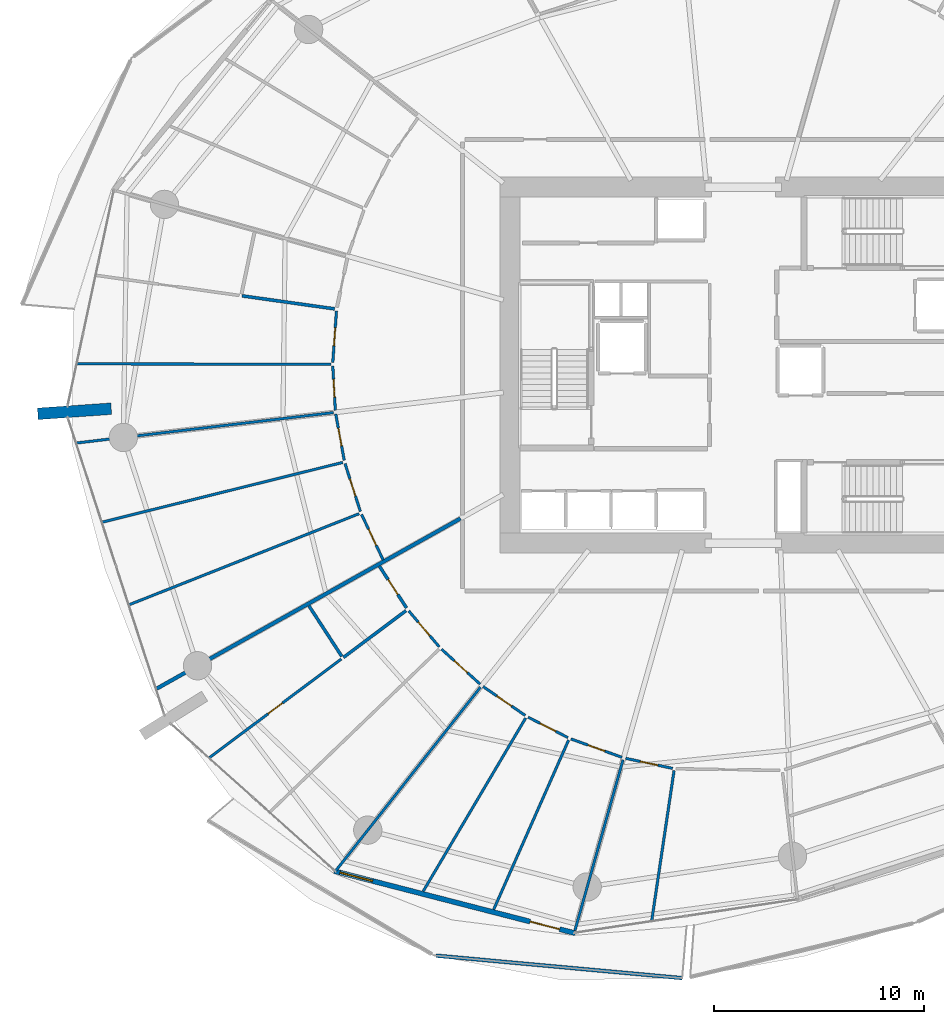
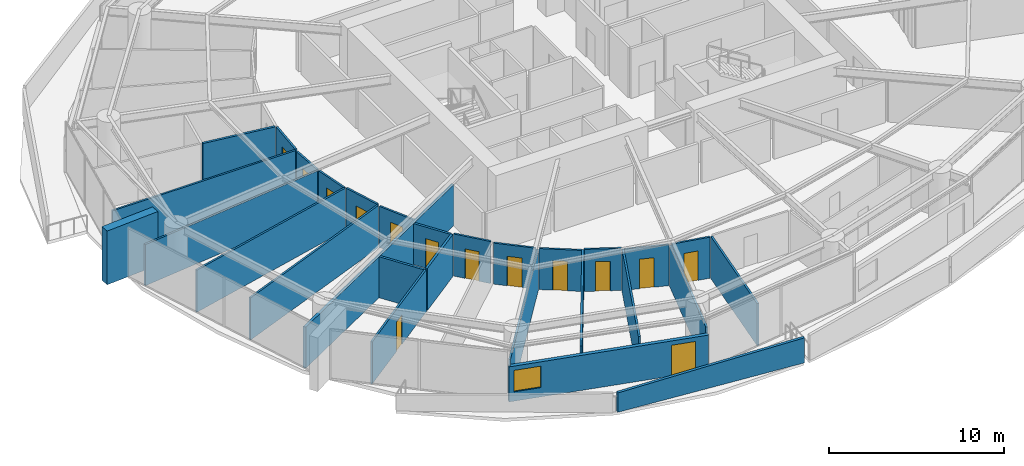
# One storey, part 19 of 31: 29 walls, 14 doors, 1 window, 15 openings.
"""IFC4 building model written with IfcOpenShell, lengths in metres."""

from ifc_helpers import new_model, si_unit, direction, frame, frame_2d, origin, place, context, subcontext, project, spatial, polyline, rectangle, outline, extrude, material, layer, layer_set, type_object, element, fill, save


model = new_model("IFC4")

# Units and contexts
model_context = context("Model", 3, precision=1e-05, world=origin(), true_north=direction((0.0, 1.0)))
body_context = subcontext(model_context, "Body", "Model", "MODEL_VIEW")
ifc_project = project(units=[si_unit("LENGTHUNIT", "METRE"), si_unit("AREAUNIT", "SQUARE_METRE"), si_unit("VOLUMEUNIT", "CUBIC_METRE"), si_unit("PLANEANGLEUNIT", "RADIAN"), si_unit("MASSUNIT", "GRAM", prefix="KILO")], contexts=[model_context])

# Site, building, storey
site_placement = place(None, origin())
site = spatial("IfcSite", under=ifc_project, at=site_placement, CompositionType="ELEMENT")
building_placement = place(site_placement, origin())
building = spatial("IfcBuilding", under=site, at=building_placement, Name="Kazma Halo Residences", CompositionType="ELEMENT")
storey_placement = place(building_placement, frame((0.0, 0.0, 45.14990234375)))
storey = spatial("IfcBuildingStorey", under=building, at=storey_placement, Name="L10", CompositionType="ELEMENT", Elevation=45.14990234375)

# Walls
ifc_material_1 = material(Name="White Concrete C50/60 Balustrade", Category="concrete")
ifc_layer_1 = layer(ifc_material_1, 0.179931640625)
ifc_layer_set_1 = layer_set([ifc_layer_1], Name="White Concrete C50/60 Balustrade")
wall_type_1 = type_object("IfcWallType", Name="WL-BAL-WAVE-180", PredefinedType="PARAPET", material=ifc_layer_set_1)
wall_1_placement = place(storey_placement, frame((33.795654296875, 13.876953125, 0.0), z_axis=(0.0, 0.0, 1.0), x_axis=(0.99586852892, -0.09080678998, 0.0)))
element("IfcWall", 1, at=wall_1_placement, inside=storey, type_object=wall_type_1, Name="L10 white wave balustrade wall SW.2", PredefinedType="PARAPET", context=body_context, shape_type="SweptSolid", body=[
    extrude(outline(polyline([(0.0, 0.0), (11.77587890625, 0.0), (11.77587890625, 1.7470703125), (5.887939453125, 1.56201171875), (0.0, 1.34814453125), (0.0, 0.0)])), frame((0.0, 0.08984375, 0.0), z_axis=(0.0, -1.0, 0.0), x_axis=(1.0, 0.0, 0.0)), (0.0, 0.0, 1.0), 0.179931640625),
])
ifc_material_2 = material(Name="Pale Concrete C60/75", Category="concrete")
ifc_layer_2 = layer(ifc_material_2, 0.550048828125)
ifc_layer_set_2 = layer_set([ifc_layer_2], Name="Pale Concrete C60/75")
wall_type_2 = type_object("IfcWallType", Name="WL-BLADE-550", PredefinedType="SOLIDWALL", material=ifc_layer_set_2)
wall_2_placement = place(storey_placement, frame((18.322021484375, 39.9248046875, 0.0), z_axis=(0.0, 0.0, 1.0), x_axis=(-0.997564163539, -0.069754853754, 0.0)))
element("IfcWall", 2, at=wall_2_placement, inside=storey, type_object=wall_type_2, Name="L10 pale concrete structural blade fin wall BW-02", PredefinedType="SOLIDWALL", context=body_context, shape_type="SweptSolid", body=[
    extrude(rectangle(XDim=3.5, YDim=0.550048828125, at=frame_2d((1.75, 0.0))), origin(), (0.0, 0.0, 1.0), 3.75),
])
ifc_material_3 = material(Name="Acoustic Twin-Stud Gypsum")
ifc_layer_3 = layer(ifc_material_3, 0.179931640625)
ifc_layer_set_3 = layer_set([ifc_layer_3], Name="Acoustic Twin-Stud Gypsum")
wall_type_3 = type_object("IfcWallType", Name="WL-DEM-180", PredefinedType="PARTITIONING", material=ifc_layer_set_3)
wall_3_placement = place(storey_placement, frame((34.9541015625, 34.694091796875, 0.0), z_axis=(0.0, 0.0, 1.0), x_axis=(-0.872493465611, -0.488625779577, 0.0)))
element("IfcWall", 3, at=wall_3_placement, inside=storey, type_object=wall_type_3, Name="L10 apartment demising radial wall 08", PredefinedType="PARTITIONING", context=body_context, shape_type="SweptSolid", body=[
    extrude(rectangle(XDim=16.586181640625, YDim=0.179931640625, at=frame_2d((8.29296875, 0.0))), origin(), (0.0, 0.0, 1.0), 2.8671875),
])

# Wall, openings, door, window
ifc_material_4 = material(Name="Insulated Pale-Metal Composite Wall")
ifc_layer_4 = layer(ifc_material_4, 0.239990234375)
ifc_layer_set_4 = layer_set([ifc_layer_4], Name="Insulated Pale-Metal Composite Wall")
wall_type_4 = type_object("IfcWallType", Name="WL-EXT-HOST-240", PredefinedType="SOLIDWALL", material=ifc_layer_set_4)
wall_4_placement = place(storey_placement, frame((28.94580078125, 17.90380859375, 0.0), z_axis=(0.0, 0.0, 1.0), x_axis=(0.96833871487, -0.249640007378, 0.0)))
wall_4 = element("IfcWall", 4, at=wall_4_placement, inside=storey, type_object=wall_type_4, Name="L10 exterior terrace-access wall B10", PredefinedType="SOLIDWALL", context=body_context, shape_type="SweptSolid", body=[
    extrude(rectangle(XDim=11.85107421875, YDim=0.239990234375, at=frame_2d((5.925537109375, 0.0))), origin(), (0.0, 0.0, 1.0), 2.4501953125),
])
opening_1_placement = place(wall_4_placement, frame((9.631103515625, 0.0, 0.0)))
opening_1 = element("IfcOpeningElement", 5, at=opening_1_placement, cuts=wall_4, Name="Opening DTR-1600", PredefinedType="OPENING", context=body_context, shape_type="SweptSolid", body=[
    extrude(rectangle(XDim=1.449951171875, YDim=2.14990234375, at=frame_2d((0.72509765625, 1.074951171875))), frame((0.0, 0.1298828125, 0.0), z_axis=(0.0, -1.0, 0.0), x_axis=(1.0, 0.0, 0.0)), (0.0, 0.0, 1.0), 0.260009765625),
])
opening_2_placement = place(wall_4_placement, frame((0.280029296875, 0.0, 0.64990234375)))
opening_2 = element("IfcOpeningElement", 6, at=opening_2_placement, cuts=wall_4, Name="Opening W-1800", PredefinedType="OPENING", context=body_context, shape_type="SweptSolid", body=[
    extrude(rectangle(XDim=1.60009765625, YDim=1.5, at=frame_2d((0.800048828125, 0.75))), frame((0.0, 0.1298828125, 0.0), z_axis=(0.0, -1.0, 0.0), x_axis=(1.0, 0.0, 0.0)), (0.0, 0.0, 1.0), 0.260009765625),
])
ifc_material_5 = material(Name="Aluminium AW-6063 T6 Double-Glazed Terrace Door", Category="aluminium")
door_type_1 = type_object("IfcDoorType", Name="DR-EXT-TERR-1600", OperationType="NOTDEFINED", PredefinedType="DOOR", material=ifc_material_5)
door_1_placement = place(opening_1_placement, origin())
door_1 = element("IfcDoor", 7, at=door_1_placement, inside=storey, type_object=door_type_1, Name="L10 B10 balcony terrace door", OperationType="DOUBLE_DOOR_SLIDING", OverallHeight=2.14990234375, OverallWidth=1.449951171875, PredefinedType="DOOR", context=body_context, shape_type="SweptSolid", body=[
    extrude(rectangle(XDim=1.449951171875, YDim=2.14990234375, at=frame_2d((0.72509765625, 1.074951171875))), frame((0.0, 0.02490234375, 0.0), z_axis=(0.0, -1.0, 0.0), x_axis=(1.0, 0.0, 0.0)), (0.0, 0.0, 1.0), 0.050048828125),
])
fill(opening_1, door_1)
ifc_material_6 = material(Name="Clear Triple-Silver Low-E Glass in Aluminium AW-6063 T6 Frame", Category="aluminium")
window_type = type_object("IfcWindowType", Name="WIN-RES-1800", PartitioningType="DOUBLE_PANEL_VERTICAL", PredefinedType="WINDOW", material=ifc_material_6)
window_placement = place(opening_2_placement, origin())
window = element("IfcWindow", 8, at=window_placement, inside=storey, type_object=window_type, Name="L10 B10 apartment window", OverallHeight=1.5, OverallWidth=1.60009765625, PartitioningType="SINGLE_PANEL", PredefinedType="WINDOW", context=body_context, shape_type="SweptSolid", body=[
    extrude(rectangle(XDim=1.60009765625, YDim=1.5, at=frame_2d((0.800048828125, 0.75))), frame((0.0, 0.030029296875, 0.0), z_axis=(0.0, -1.0, 0.0), x_axis=(1.0, 0.0, 0.0)), (0.0, 0.0, 1.0), 0.06005859375),
])
fill(opening_2, window)

# Wall
ifc_material_7 = material(Name="Gypsum Plasterboard Partition")
ifc_layer_5 = layer(ifc_material_7, 0.125)
ifc_layer_set_5 = layer_set([ifc_layer_5], Name="Gypsum Plasterboard Partition")
wall_type_5 = type_object("IfcWallType", Name="WL-PART-125", PredefinedType="PARTITIONING", material=ifc_layer_set_5)
wall_5_placement = place(storey_placement, frame((28.780029296875, 42.0380859375, 0.0), z_axis=(0.0, 0.0, 1.0), x_axis=(-0.999998036955, 0.001981435282, 0.0)))
element("IfcWall", 9, at=wall_5_placement, inside=storey, type_object=wall_type_5, Name="L10 Apartment 1 suite divider 6", PredefinedType="PARTITIONING", context=body_context, shape_type="SweptSolid", body=[
    extrude(rectangle(XDim=12.074951171875, YDim=0.125, at=frame_2d((6.03759765625, 0.0))), origin(), (0.0, 0.0, 1.0), 2.940185546875),
])

# Wall, opening, door
wall_6_placement = place(storey_placement, frame((29.05029296875, 44.575927734375, 0.0), z_axis=(0.0, 0.0, 1.0), x_axis=(-0.070831673661, -0.997488282641, 0.0)))
wall_6 = element("IfcWall", 10, at=wall_6_placement, inside=storey, type_object=wall_type_5, Name="L10 Apartment 1 Gulf Formal Dining Room hall wall", PredefinedType="PARTITIONING", context=body_context, shape_type="SweptSolid", body=[
    extrude(rectangle(XDim=2.46435546875, YDim=0.125, at=frame_2d((1.232177734375, 0.0))), origin(), (0.0, 0.0, 1.0), 2.940185546875),
])
opening_3_placement = place(wall_6_placement, frame((0.80712890625, 0.0, 0.0)))
opening_3 = element("IfcOpeningElement", 11, at=opening_3_placement, cuts=wall_6, Name="Opening DB-900", PredefinedType="OPENING", context=body_context, shape_type="SweptSolid", body=[
    extrude(rectangle(XDim=0.85009765625, YDim=2.06005859375, at=frame_2d((0.425048828125, 1.030029296875))), frame((0.0, 0.072509765625, 0.0), z_axis=(0.0, -1.0, 0.0), x_axis=(1.0, 0.0, 0.0)), (0.0, 0.0, 1.0), 0.14501953125),
])
ifc_material_8 = material(Name="Moisture-Sealed Timber Leaf", Category="wood")
door_type_2 = type_object("IfcDoorType", Name="DR-BTH-900", OperationType="NOTDEFINED", PredefinedType="DOOR", material=ifc_material_8)
door_2_placement = place(opening_3_placement, origin())
door_2 = element("IfcDoor", 12, at=door_2_placement, inside=storey, type_object=door_type_2, Name="L10 Apartment 1 Gulf Formal Dining Room door", OperationType="SINGLE_SWING_LEFT", OverallHeight=2.06005859375, OverallWidth=0.85009765625, PredefinedType="DOOR", context=body_context, shape_type="SweptSolid", body=[
    extrude(rectangle(XDim=0.85009765625, YDim=2.06005859375, at=frame_2d((0.425048828125, 1.030029296875))), frame((0.0, 0.02490234375, 0.0), z_axis=(0.0, -1.0, 0.0), x_axis=(1.0, 0.0, 0.0)), (0.0, 0.0, 1.0), 0.050048828125),
])
fill(opening_3, door_2)

wall_7_placement = place(storey_placement, frame((28.87451171875, 41.9580078125, 0.0), z_axis=(0.0, 0.0, 1.0), x_axis=(0.057962417622, -0.998318765797, 0.0)))
wall_7 = element("IfcWall", 13, at=wall_7_placement, inside=storey, type_object=wall_type_5, Name="L10 Apartment 1 Primary Master Bedroom hall wall", PredefinedType="PARTITIONING", context=body_context, shape_type="SweptSolid", body=[
    extrude(rectangle(XDim=2.1103515625, YDim=0.125, at=frame_2d((1.05517578125, 0.0))), origin(), (0.0, 0.0, 1.0), 2.8671875),
])
opening_4_placement = place(wall_7_placement, frame((0.630126953125, 0.0, 0.0)))
opening_4 = element("IfcOpeningElement", 14, at=opening_4_placement, cuts=wall_7, Name="Opening DB-900", PredefinedType="OPENING", context=body_context, shape_type="SweptSolid", body=[
    extrude(rectangle(XDim=0.85009765625, YDim=2.06005859375, at=frame_2d((0.425048828125, 1.030029296875))), frame((0.0, 0.072509765625, 0.0), z_axis=(0.0, -1.0, 0.0), x_axis=(1.0, 0.0, 0.0)), (0.0, 0.0, 1.0), 0.14501953125),
])
door_3_placement = place(opening_4_placement, origin())
door_3 = element("IfcDoor", 15, at=door_3_placement, inside=storey, type_object=door_type_2, Name="L10 Apartment 1 Primary Master Bedroom door", OperationType="SINGLE_SWING_RIGHT", OverallHeight=2.06005859375, OverallWidth=0.85009765625, PredefinedType="DOOR", context=body_context, shape_type="SweptSolid", body=[
    extrude(rectangle(XDim=0.85009765625, YDim=2.06005859375, at=frame_2d((0.425048828125, 1.030029296875))), frame((0.0, 0.02490234375, 0.0), z_axis=(0.0, -1.0, 0.0), x_axis=(1.0, 0.0, 0.0)), (0.0, 0.0, 1.0), 0.050048828125),
])
fill(opening_4, door_3)

# Walls
wall_8_placement = place(storey_placement, frame((28.9033203125, 39.73974609375, 0.0), z_axis=(0.0, 0.0, 1.0), x_axis=(-0.993068040113, -0.117540919282, 0.0)))
element("IfcWall", 16, at=wall_8_placement, inside=storey, type_object=wall_type_5, Name="L10 Apartment 1 radial partition 7", PredefinedType="PARTITIONING", context=body_context, shape_type="SweptSolid", body=[
    extrude(rectangle(XDim=12.30859375, YDim=0.125, at=frame_2d((6.154296875, 0.0))), origin(), (0.0, 0.0, 1.0), 2.8671875),
])
wall_9_placement = place(storey_placement, frame((29.346923828125, 37.366455078125, 0.0), z_axis=(0.0, 0.0, 1.0), x_axis=(-0.970510462135, -0.241059002917, 0.0)))
element("IfcWall", 17, at=wall_9_placement, inside=storey, type_object=wall_type_5, Name="L10 Apartment 1 bay wall 1 7", PredefinedType="PARTITIONING", context=body_context, shape_type="SweptSolid", body=[
    extrude(rectangle(XDim=11.789794921875, YDim=0.125, at=frame_2d((5.89501953125, 0.0))), origin(), (0.0, 0.0, 1.0), 2.940185546875),
])
wall_10_placement = place(storey_placement, frame((30.129638671875, 34.9248046875, 0.0), z_axis=(0.0, 0.0, 1.0), x_axis=(-0.929770978957, -0.368138461302, 0.0)))
element("IfcWall", 18, at=wall_10_placement, inside=storey, type_object=wall_type_5, Name="L10 Apartment 1 bay wall 2 7", PredefinedType="PARTITIONING", context=body_context, shape_type="SweptSolid", body=[
    extrude(rectangle(XDim=11.7734375, YDim=0.125, at=frame_2d((5.88671875, 0.0))), origin(), (0.0, 0.0, 1.0), 2.940185546875),
])

# Wall, opening, door
wall_11_placement = place(storey_placement, frame((29.01708984375, 39.6728515625, 0.0), z_axis=(0.0, 0.0, 1.0), x_axis=(0.179632658462, -0.983733758704, 0.0)))
wall_11 = element("IfcWall", 19, at=wall_11_placement, inside=storey, type_object=wall_type_5, Name="L10 Apartment 1 West Master Bedroom hall wall", PredefinedType="PARTITIONING", context=body_context, shape_type="SweptSolid", body=[
    extrude(rectangle(XDim=2.242431640625, YDim=0.125, at=frame_2d((1.12109375, 0.0))), origin(), (0.0, 0.0, 1.0), 2.8671875),
])
opening_5_placement = place(wall_11_placement, frame((0.6962890625, 0.0, 0.0)))
opening_5 = element("IfcOpeningElement", 20, at=opening_5_placement, cuts=wall_11, Name="Opening DB-900", PredefinedType="OPENING", context=body_context, shape_type="SweptSolid", body=[
    extrude(rectangle(XDim=0.85009765625, YDim=2.06005859375, at=frame_2d((0.425048828125, 1.030029296875))), frame((0.0, 0.072509765625, 0.0), z_axis=(0.0, -1.0, 0.0), x_axis=(1.0, 0.0, 0.0)), (0.0, 0.0, 1.0), 0.14501953125),
])
door_4_placement = place(opening_5_placement, origin())
door_4 = element("IfcDoor", 21, at=door_4_placement, inside=storey, type_object=door_type_2, Name="L10 Apartment 1 West Master Bedroom door", OperationType="SINGLE_SWING_LEFT", OverallHeight=2.06005859375, OverallWidth=0.85009765625, PredefinedType="DOOR", context=body_context, shape_type="SweptSolid", body=[
    extrude(rectangle(XDim=0.85009765625, YDim=2.06005859375, at=frame_2d((0.425048828125, 1.030029296875))), frame((0.0, 0.02490234375, 0.0), z_axis=(0.0, -1.0, 0.0), x_axis=(1.0, 0.0, 0.0)), (0.0, 0.0, 1.0), 0.050048828125),
])
fill(opening_5, door_4)

wall_12_placement = place(storey_placement, frame((29.45849609375, 37.31201171875, 0.0), z_axis=(0.0, 0.0, 1.0), x_axis=(0.305338513131, -0.952243872335, 0.0)))
wall_12 = element("IfcWall", 22, at=wall_12_placement, inside=storey, type_object=wall_type_5, Name="L10 Apartment 1 North Dressing Wardrobe hall wall", PredefinedType="PARTITIONING", context=body_context, shape_type="SweptSolid", body=[
    extrude(rectangle(XDim=2.392333984375, YDim=0.125, at=frame_2d((1.1962890625, 0.0))), origin(), (0.0, 0.0, 1.0), 2.940185546875),
])
opening_6_placement = place(wall_12_placement, frame((0.77099609375, 0.0, 0.0)))
opening_6 = element("IfcOpeningElement", 23, at=opening_6_placement, cuts=wall_12, Name="Opening DB-900", PredefinedType="OPENING", context=body_context, shape_type="SweptSolid", body=[
    extrude(rectangle(XDim=0.85009765625, YDim=2.06005859375, at=frame_2d((0.425048828125, 1.030029296875))), frame((0.0, 0.072509765625, 0.0), z_axis=(0.0, -1.0, 0.0), x_axis=(1.0, 0.0, 0.0)), (0.0, 0.0, 1.0), 0.14501953125),
])
door_5_placement = place(opening_6_placement, origin())
door_5 = element("IfcDoor", 24, at=door_5_placement, inside=storey, type_object=door_type_2, Name="L10 Apartment 1 North Dressing Wardrobe door", OperationType="SINGLE_SWING_RIGHT", OverallHeight=2.06005859375, OverallWidth=0.85009765625, PredefinedType="DOOR", context=body_context, shape_type="SweptSolid", body=[
    extrude(rectangle(XDim=0.85009765625, YDim=2.06005859375, at=frame_2d((0.425048828125, 1.030029296875))), frame((0.0, 0.02490234375, 0.0), z_axis=(0.0, -1.0, 0.0), x_axis=(1.0, 0.0, 0.0)), (0.0, 0.0, 1.0), 0.050048828125),
])
fill(opening_6, door_5)

wall_13_placement = place(storey_placement, frame((30.247802734375, 34.885498046875, 0.0), z_axis=(0.0, 0.0, 1.0), x_axis=(0.429366977128, -0.903130111862, 0.0)))
wall_13 = element("IfcWall", 25, at=wall_13_placement, inside=storey, type_object=wall_type_5, Name="L10 Apartment 1 South Master Bedroom hall wall", PredefinedType="PARTITIONING", context=body_context, shape_type="SweptSolid", body=[
    extrude(rectangle(XDim=2.39208984375, YDim=0.125, at=frame_2d((1.196044921875, 0.0))), origin(), (0.0, 0.0, 1.0), 2.8671875),
])
opening_7_placement = place(wall_13_placement, frame((0.77099609375, 0.0, 0.0)))
opening_7 = element("IfcOpeningElement", 26, at=opening_7_placement, cuts=wall_13, Name="Opening DB-900", PredefinedType="OPENING", context=body_context, shape_type="SweptSolid", body=[
    extrude(rectangle(XDim=0.85009765625, YDim=2.06005859375, at=frame_2d((0.425048828125, 1.030029296875))), frame((0.0, 0.072509765625, 0.0), z_axis=(0.0, -1.0, 0.0), x_axis=(1.0, 0.0, 0.0)), (0.0, 0.0, 1.0), 0.14501953125),
])
door_6_placement = place(opening_7_placement, origin())
door_6 = element("IfcDoor", 27, at=door_6_placement, inside=storey, type_object=door_type_2, Name="L10 Apartment 1 South Master Bedroom door", OperationType="SINGLE_SWING_LEFT", OverallHeight=2.06005859375, OverallWidth=0.85009765625, PredefinedType="DOOR", context=body_context, shape_type="SweptSolid", body=[
    extrude(rectangle(XDim=0.85009765625, YDim=2.06005859375, at=frame_2d((0.425048828125, 1.030029296875))), frame((0.0, 0.02490234375, 0.0), z_axis=(0.0, -1.0, 0.0), x_axis=(1.0, 0.0, 0.0)), (0.0, 0.0, 1.0), 0.050048828125),
])
fill(opening_7, door_6)

wall_14_placement = place(storey_placement, frame((29.280517578125, 28.00244140625, 0.0), z_axis=(0.0, 0.0, 1.0), x_axis=(-0.800858109459, -0.598854146278, 0.0)))
wall_14 = element("IfcWall", 28, at=wall_14_placement, inside=storey, type_object=wall_type_5, Name="L10 Apartment 2 Utility Laundry Room partition wall", PredefinedType="PARTITIONING", context=body_context, shape_type="SweptSolid", body=[
    extrude(rectangle(XDim=7.844970703125, YDim=0.125, at=frame_2d((3.92236328125, 0.0))), origin(), (0.0, 0.0, 1.0), 2.940185546875),
])
opening_8_placement = place(wall_14_placement, frame((3.49755859375, 0.0, 0.0)))
opening_8 = element("IfcOpeningElement", 29, at=opening_8_placement, cuts=wall_14, Name="Opening DB-900", PredefinedType="OPENING", context=body_context, shape_type="SweptSolid", body=[
    extrude(rectangle(XDim=0.85009765625, YDim=2.06005859375, at=frame_2d((0.425048828125, 1.030029296875))), frame((0.0, 0.072509765625, 0.0), z_axis=(0.0, -1.0, 0.0), x_axis=(1.0, 0.0, 0.0)), (0.0, 0.0, 1.0), 0.14501953125),
])
door_7_placement = place(opening_8_placement, origin())
door_7 = element("IfcDoor", 30, at=door_7_placement, inside=storey, type_object=door_type_2, Name="L10 Apartment 2 Utility Laundry Room door", OperationType="SINGLE_SWING_RIGHT", OverallHeight=2.06005859375, OverallWidth=0.85009765625, PredefinedType="DOOR", context=body_context, shape_type="SweptSolid", body=[
    extrude(rectangle(XDim=0.85009765625, YDim=2.06005859375, at=frame_2d((0.425048828125, 1.030029296875))), frame((0.0, 0.02490234375, 0.0), z_axis=(0.0, -1.0, 0.0), x_axis=(1.0, 0.0, 0.0)), (0.0, 0.0, 1.0), 0.050048828125),
])
fill(opening_8, door_7)

wall_15_placement = place(storey_placement, frame((32.494384765625, 30.29345703125, 0.0), z_axis=(0.0, 0.0, 1.0), x_axis=(0.64730971506, -0.762227087415, 0.0)))
wall_15 = element("IfcWall", 31, at=wall_15_placement, inside=storey, type_object=wall_type_5, Name="L10 Apartment 2 Gourmet Kitchen hall wall", PredefinedType="PARTITIONING", context=body_context, shape_type="SweptSolid", body=[
    extrude(rectangle(XDim=2.2392578125, YDim=0.125, at=frame_2d((1.11962890625, 0.0))), origin(), (0.0, 0.0, 1.0), 2.940185546875),
])
opening_9_placement = place(wall_15_placement, frame((0.694580078125, 0.0, 0.0)))
opening_9 = element("IfcOpeningElement", 32, at=opening_9_placement, cuts=wall_15, Name="Opening DB-900", PredefinedType="OPENING", context=body_context, shape_type="SweptSolid", body=[
    extrude(rectangle(XDim=0.85009765625, YDim=2.06005859375, at=frame_2d((0.425048828125, 1.030029296875))), frame((0.0, 0.072509765625, 0.0), z_axis=(0.0, -1.0, 0.0), x_axis=(1.0, 0.0, 0.0)), (0.0, 0.0, 1.0), 0.14501953125),
])
door_8_placement = place(opening_9_placement, origin())
door_8 = element("IfcDoor", 33, at=door_8_placement, inside=storey, type_object=door_type_2, Name="L10 Apartment 2 Gourmet Kitchen door", OperationType="SINGLE_SWING_LEFT", OverallHeight=2.06005859375, OverallWidth=0.85009765625, PredefinedType="DOOR", context=body_context, shape_type="SweptSolid", body=[
    extrude(rectangle(XDim=0.85009765625, YDim=2.06005859375, at=frame_2d((0.425048828125, 1.030029296875))), frame((0.0, 0.02490234375, 0.0), z_axis=(0.0, -1.0, 0.0), x_axis=(1.0, 0.0, 0.0)), (0.0, 0.0, 1.0), 0.050048828125),
])
fill(opening_9, door_8)

wall_16_placement = place(storey_placement, frame((34.054931640625, 28.471923828125, 0.0), z_axis=(0.0, 0.0, 1.0), x_axis=(0.741069539407, -0.671428281921, 0.0)))
wall_16 = element("IfcWall", 34, at=wall_16_placement, inside=storey, type_object=wall_type_5, Name="L10 Apartment 2 Master Bedroom hall wall", PredefinedType="PARTITIONING", context=body_context, shape_type="SweptSolid", body=[
    extrude(rectangle(XDim=2.48193359375, YDim=0.125, at=frame_2d((1.240966796875, 0.0))), origin(), (0.0, 0.0, 1.0), 2.8671875),
])
opening_10_placement = place(wall_16_placement, frame((0.816162109375, 0.0, 0.0)))
opening_10 = element("IfcOpeningElement", 35, at=opening_10_placement, cuts=wall_16, Name="Opening DB-900", PredefinedType="OPENING", context=body_context, shape_type="SweptSolid", body=[
    extrude(rectangle(XDim=0.85009765625, YDim=2.06005859375, at=frame_2d((0.425048828125, 1.030029296875))), frame((0.0, 0.072509765625, 0.0), z_axis=(0.0, -1.0, 0.0), x_axis=(1.0, 0.0, 0.0)), (0.0, 0.0, 1.0), 0.14501953125),
])
door_9_placement = place(opening_10_placement, origin())
door_9 = element("IfcDoor", 36, at=door_9_placement, inside=storey, type_object=door_type_2, Name="L10 Apartment 2 Master Bedroom door", OperationType="SINGLE_SWING_RIGHT", OverallHeight=2.06005859375, OverallWidth=0.85009765625, PredefinedType="DOOR", context=body_context, shape_type="SweptSolid", body=[
    extrude(rectangle(XDim=0.85009765625, YDim=2.06005859375, at=frame_2d((0.425048828125, 1.030029296875))), frame((0.0, 0.02490234375, 0.0), z_axis=(0.0, -1.0, 0.0), x_axis=(1.0, 0.0, 0.0)), (0.0, 0.0, 1.0), 0.050048828125),
])
fill(opening_10, door_9)

# Walls
wall_17_placement = place(storey_placement, frame((35.906494140625, 26.65966796875, 0.0), z_axis=(0.0, 0.0, 1.0), x_axis=(-0.619079945304, -0.785327970546, 0.0)))
element("IfcWall", 37, at=wall_17_placement, inside=storey, type_object=wall_type_5, Name="L10 Apartment 2 radial partition 9", PredefinedType="PARTITIONING", context=body_context, shape_type="SweptSolid", body=[
    extrude(rectangle(XDim=11.140380859375, YDim=0.125, at=frame_2d((5.5703125, 0.0))), origin(), (0.0, 0.0, 1.0), 2.8671875),
])
wall_18_placement = place(storey_placement, frame((38.0615234375, 25.19482421875, 0.0), z_axis=(0.0, 0.0, 1.0), x_axis=(-0.5090404875, -0.860742575969, 0.0)))
element("IfcWall", 38, at=wall_18_placement, inside=storey, type_object=wall_type_5, Name="L10 Apartment 2 bay wall 1 9", PredefinedType="PARTITIONING", context=body_context, shape_type="SweptSolid", body=[
    extrude(rectangle(XDim=9.593994140625, YDim=0.125, at=frame_2d((4.796875, 0.0))), origin(), (0.0, 0.0, 1.0), 2.940185546875),
])
wall_19_placement = place(storey_placement, frame((40.105712890625, 24.143310546875, 0.0), z_axis=(0.0, 0.0, 1.0), x_axis=(-0.404353353302, -0.91460284587, 0.0)))
element("IfcWall", 39, at=wall_19_placement, inside=storey, type_object=wall_type_5, Name="L10 Apartment 2 bay wall 2 9", PredefinedType="PARTITIONING", context=body_context, shape_type="SweptSolid", body=[
    extrude(rectangle(XDim=8.822998046875, YDim=0.125, at=frame_2d((4.41162109375, 0.0))), origin(), (0.0, 0.0, 1.0), 2.940185546875),
])

# Wall, opening, door
wall_20_placement = place(storey_placement, frame((36.034423828125, 26.693115234375, 0.0), z_axis=(0.0, 0.0, 1.0), x_axis=(0.824802387359, -0.56542110131, 0.0)))
wall_20 = element("IfcWall", 40, at=wall_20_placement, inside=storey, type_object=wall_type_5, Name="L10 Apartment 2 East Bedroom hall wall", PredefinedType="PARTITIONING", context=body_context, shape_type="SweptSolid", body=[
    extrude(rectangle(XDim=2.43310546875, YDim=0.125, at=frame_2d((1.216552734375, 0.0))), origin(), (0.0, 0.0, 1.0), 2.8671875),
])
opening_11_placement = place(wall_20_placement, frame((0.79150390625, 0.0, 0.0)))
opening_11 = element("IfcOpeningElement", 41, at=opening_11_placement, cuts=wall_20, Name="Opening DB-900", PredefinedType="OPENING", context=body_context, shape_type="SweptSolid", body=[
    extrude(rectangle(XDim=0.85009765625, YDim=2.06005859375, at=frame_2d((0.425048828125, 1.030029296875))), frame((0.0, 0.072509765625, 0.0), z_axis=(0.0, -1.0, 0.0), x_axis=(1.0, 0.0, 0.0)), (0.0, 0.0, 1.0), 0.14501953125),
])
door_10_placement = place(opening_11_placement, origin())
door_10 = element("IfcDoor", 42, at=door_10_placement, inside=storey, type_object=door_type_2, Name="L10 Apartment 2 East Bedroom door", OperationType="SINGLE_SWING_LEFT", OverallHeight=2.06005859375, OverallWidth=0.85009765625, PredefinedType="DOOR", context=body_context, shape_type="SweptSolid", body=[
    extrude(rectangle(XDim=0.85009765625, YDim=2.06005859375, at=frame_2d((0.425048828125, 1.030029296875))), frame((0.0, 0.02490234375, 0.0), z_axis=(0.0, -1.0, 0.0), x_axis=(1.0, 0.0, 0.0)), (0.0, 0.0, 1.0), 0.050048828125),
])
fill(opening_11, door_10)

wall_21_placement = place(storey_placement, frame((38.178466796875, 25.235595703125, 0.0), z_axis=(0.0, 0.0, 1.0), x_axis=(0.889251803761, -0.457418003044, 0.0)))
wall_21 = element("IfcWall", 43, at=wall_21_placement, inside=storey, type_object=wall_type_5, Name="L10 Apartment 2 West Study hall wall", PredefinedType="PARTITIONING", context=body_context, shape_type="SweptSolid", body=[
    extrude(rectangle(XDim=2.1279296875, YDim=0.125, at=frame_2d((1.06396484375, 0.0))), origin(), (0.0, 0.0, 1.0), 2.940185546875),
])
opening_12_placement = place(wall_21_placement, frame((0.63916015625, 0.0, 0.0)))
opening_12 = element("IfcOpeningElement", 44, at=opening_12_placement, cuts=wall_21, Name="Opening DB-900", PredefinedType="OPENING", context=body_context, shape_type="SweptSolid", body=[
    extrude(rectangle(XDim=0.85009765625, YDim=2.06005859375, at=frame_2d((0.425048828125, 1.030029296875))), frame((0.0, 0.072509765625, 0.0), z_axis=(0.0, -1.0, 0.0), x_axis=(1.0, 0.0, 0.0)), (0.0, 0.0, 1.0), 0.14501953125),
])
door_11_placement = place(opening_12_placement, origin())
door_11 = element("IfcDoor", 45, at=door_11_placement, inside=storey, type_object=door_type_2, Name="L10 Apartment 2 West Study door", OperationType="SINGLE_SWING_RIGHT", OverallHeight=2.06005859375, OverallWidth=0.85009765625, PredefinedType="DOOR", context=body_context, shape_type="SweptSolid", body=[
    extrude(rectangle(XDim=0.85009765625, YDim=2.06005859375, at=frame_2d((0.425048828125, 1.030029296875))), frame((0.0, 0.02490234375, 0.0), z_axis=(0.0, -1.0, 0.0), x_axis=(1.0, 0.0, 0.0)), (0.0, 0.0, 1.0), 0.050048828125),
])
fill(opening_12, door_11)

wall_22_placement = place(storey_placement, frame((40.21728515625, 24.198486328125, 0.0), z_axis=(0.0, 0.0, 1.0), x_axis=(0.940866942481, -0.338776322293, 0.0)))
wall_22 = element("IfcWall", 46, at=wall_22_placement, inside=storey, type_object=wall_type_5, Name="L10 Apartment 2 North Bedroom hall wall", PredefinedType="PARTITIONING", context=body_context, shape_type="SweptSolid", body=[
    extrude(rectangle(XDim=2.5849609375, YDim=0.125, at=frame_2d((1.29248046875, 0.0))), origin(), (0.0, 0.0, 1.0), 2.8671875),
])
opening_13_placement = place(wall_22_placement, frame((0.867431640625, 0.0, 0.0)))
opening_13 = element("IfcOpeningElement", 47, at=opening_13_placement, cuts=wall_22, Name="Opening DB-900", PredefinedType="OPENING", context=body_context, shape_type="SweptSolid", body=[
    extrude(rectangle(XDim=0.85009765625, YDim=2.06005859375, at=frame_2d((0.425048828125, 1.030029296875))), frame((0.0, 0.072509765625, 0.0), z_axis=(0.0, -1.0, 0.0), x_axis=(1.0, 0.0, 0.0)), (0.0, 0.0, 1.0), 0.14501953125),
])
door_12_placement = place(opening_13_placement, origin())
door_12 = element("IfcDoor", 48, at=door_12_placement, inside=storey, type_object=door_type_2, Name="L10 Apartment 2 North Bedroom door", OperationType="SINGLE_SWING_LEFT", OverallHeight=2.06005859375, OverallWidth=0.85009765625, PredefinedType="DOOR", context=body_context, shape_type="SweptSolid", body=[
    extrude(rectangle(XDim=0.85009765625, YDim=2.06005859375, at=frame_2d((0.425048828125, 1.030029296875))), frame((0.0, 0.02490234375, 0.0), z_axis=(0.0, -1.0, 0.0), x_axis=(1.0, 0.0, 0.0)), (0.0, 0.0, 1.0), 0.050048828125),
])
fill(opening_13, door_12)

# Walls
wall_23_placement = place(storey_placement, frame((42.69775390625, 23.199462890625, 0.0), z_axis=(0.0, 0.0, 1.0), x_axis=(-0.271448482594, -0.962452970954, 0.0)))
element("IfcWall", 49, at=wall_23_placement, inside=storey, type_object=wall_type_5, Name="L10 Apartment 2 radial partition 10", PredefinedType="PARTITIONING", context=body_context, shape_type="SweptSolid", body=[
    extrude(rectangle(XDim=8.438232421875, YDim=0.125, at=frame_2d((4.21923828125, 0.0))), origin(), (0.0, 0.0, 1.0), 2.8671875),
])
wall_24_placement = place(storey_placement, frame((45.127685546875, 22.6884765625, 0.0), z_axis=(0.0, 0.0, 1.0), x_axis=(-0.147120126985, -0.989118632034, 0.0)))
element("IfcWall", 50, at=wall_24_placement, inside=storey, type_object=wall_type_5, Name="L10 Apartment 2 mid-bay wall 10", PredefinedType="PARTITIONING", context=body_context, shape_type="SweptSolid", body=[
    extrude(rectangle(XDim=7.230224609375, YDim=0.125, at=frame_2d((3.615234375, 0.0))), origin(), (0.0, 0.0, 1.0), 2.940185546875),
])

# Wall, opening, door
wall_25_placement = place(storey_placement, frame((42.822509765625, 23.274658203125, 0.0), z_axis=(0.0, 0.0, 1.0), x_axis=(0.977764973661, -0.209703734543, 0.0)))
wall_25 = element("IfcWall", 51, at=wall_25_placement, inside=storey, type_object=wall_type_5, Name="L10 Apartment 2 South Private Study hall wall", PredefinedType="PARTITIONING", context=body_context, shape_type="SweptSolid", body=[
    extrude(rectangle(XDim=2.291259765625, YDim=0.125, at=frame_2d((1.1455078125, 0.0))), origin(), (0.0, 0.0, 1.0), 2.8671875),
])
opening_14_placement = place(wall_25_placement, frame((0.720458984375, 0.0, 0.0)))
opening_14 = element("IfcOpeningElement", 52, at=opening_14_placement, cuts=wall_25, Name="Opening DB-900", PredefinedType="OPENING", context=body_context, shape_type="SweptSolid", body=[
    extrude(rectangle(XDim=0.85009765625, YDim=2.06005859375, at=frame_2d((0.425048828125, 1.030029296875))), frame((0.0, 0.072509765625, 0.0), z_axis=(0.0, -1.0, 0.0), x_axis=(1.0, 0.0, 0.0)), (0.0, 0.0, 1.0), 0.14501953125),
])
door_13_placement = place(opening_14_placement, origin())
door_13 = element("IfcDoor", 53, at=door_13_placement, inside=storey, type_object=door_type_2, Name="L10 Apartment 2 South Private Study door", OperationType="SINGLE_SWING_LEFT", OverallHeight=2.06005859375, OverallWidth=0.85009765625, PredefinedType="DOOR", context=body_context, shape_type="SweptSolid", body=[
    extrude(rectangle(XDim=0.85009765625, YDim=2.06005859375, at=frame_2d((0.425048828125, 1.030029296875))), frame((0.0, 0.02490234375, 0.0), z_axis=(0.0, -1.0, 0.0), x_axis=(1.0, 0.0, 0.0)), (0.0, 0.0, 1.0), 0.050048828125),
])
fill(opening_14, door_13)

# Wall
ifc_material_9 = material(Name="Moisture-Resistant Gypsum")
ifc_layer_6 = layer(ifc_material_9, 0.14990234375)
ifc_layer_set_6 = layer_set([ifc_layer_6], Name="Moisture-Resistant Gypsum")
wall_type_6 = type_object("IfcWallType", Name="WL-WET-150", PredefinedType="PARTITIONING", material=ifc_layer_set_6)
wall_26_placement = place(storey_placement, frame((28.967529296875, 44.67822265625, 0.0), z_axis=(0.0, 0.0, 1.0), x_axis=(-0.990240767804, 0.139367219172, 0.0)))
element("IfcWall", 54, at=wall_26_placement, inside=storey, type_object=wall_type_6, Name="L10 Apartment 1 Garden En-Suite Bathroom side wall", PredefinedType="PARTITIONING", context=body_context, shape_type="SweptSolid", body=[
    extrude(rectangle(XDim=4.4599609375, YDim=0.14990234375, at=frame_2d((2.22998046875, 0.0))), origin(), (0.0, 0.0, 1.0), 2.940185546875),
])

# Wall, opening, door
wall_27_placement = place(storey_placement, frame((31.098388671875, 32.42041015625, 0.0), z_axis=(0.0, 0.0, 1.0), x_axis=(0.544893998924, -0.838504937336, 0.0)))
wall_27 = element("IfcWall", 55, at=wall_27_placement, inside=storey, type_object=wall_type_6, Name="L10 Apartment 2 Guest Bathroom hall wall", PredefinedType="PARTITIONING", context=body_context, shape_type="SweptSolid", body=[
    extrude(rectangle(XDim=2.36474609375, YDim=0.14990234375, at=frame_2d((1.182373046875, 0.0))), origin(), (0.0, 0.0, 1.0), 2.8671875),
])
opening_15_placement = place(wall_27_placement, frame((0.75732421875, 0.0, 0.0)))
opening_15 = element("IfcOpeningElement", 56, at=opening_15_placement, cuts=wall_27, Name="Opening DB-900", PredefinedType="OPENING", context=body_context, shape_type="SweptSolid", body=[
    extrude(rectangle(XDim=0.85009765625, YDim=2.06005859375, at=frame_2d((0.425048828125, 1.030029296875))), frame((0.0, 0.0849609375, 0.0), z_axis=(0.0, -1.0, 0.0), x_axis=(1.0, 0.0, 0.0)), (0.0, 0.0, 1.0), 0.169921875),
])
door_14_placement = place(opening_15_placement, origin())
door_14 = element("IfcDoor", 57, at=door_14_placement, inside=storey, type_object=door_type_2, Name="L10 Apartment 2 Guest Bathroom door", OperationType="SINGLE_SWING_LEFT", OverallHeight=2.06005859375, OverallWidth=0.85009765625, PredefinedType="DOOR", context=body_context, shape_type="SweptSolid", body=[
    extrude(rectangle(XDim=0.85009765625, YDim=2.06005859375, at=frame_2d((0.425048828125, 1.030029296875))), frame((0.0, 0.02490234375, 0.0), z_axis=(0.0, -1.0, 0.0), x_axis=(1.0, 0.0, 0.0)), (0.0, 0.0, 1.0), 0.050048828125),
])
fill(opening_15, door_14)

# Walls
wall_28_placement = place(storey_placement, frame((27.7392578125, 30.5390625, 0.0), z_axis=(0.0, 0.0, 1.0), x_axis=(0.544928567987, -0.838482471965, 0.0)))
element("IfcWall", 58, at=wall_28_placement, inside=storey, type_object=wall_type_6, Name="L10 Apartment 2 Guest Bathroom back wall", PredefinedType="PARTITIONING", context=body_context, shape_type="SweptSolid", body=[
    extrude(rectangle(XDim=2.870849609375, YDim=0.14990234375, at=frame_2d((1.435546875, 0.0))), origin(), (0.0, 0.0, 1.0), 2.8671875),
])
wall_29_placement = place(storey_placement, frame((32.364013671875, 30.30810546875, 0.0), z_axis=(0.0, 0.0, 1.0), x_axis=(-0.800857594538, -0.59885483489, 0.0)))
element("IfcWall", 59, at=wall_29_placement, inside=storey, type_object=wall_type_6, Name="L10 Apartment 2 Guest Bathroom side wall", PredefinedType="PARTITIONING", context=body_context, shape_type="SweptSolid", body=[
    extrude(rectangle(XDim=3.719970703125, YDim=0.14990234375, at=frame_2d((1.85986328125, 0.0))), origin(), (0.0, 0.0, 1.0), 2.940185546875),
])

save(model, "model.ifc")
